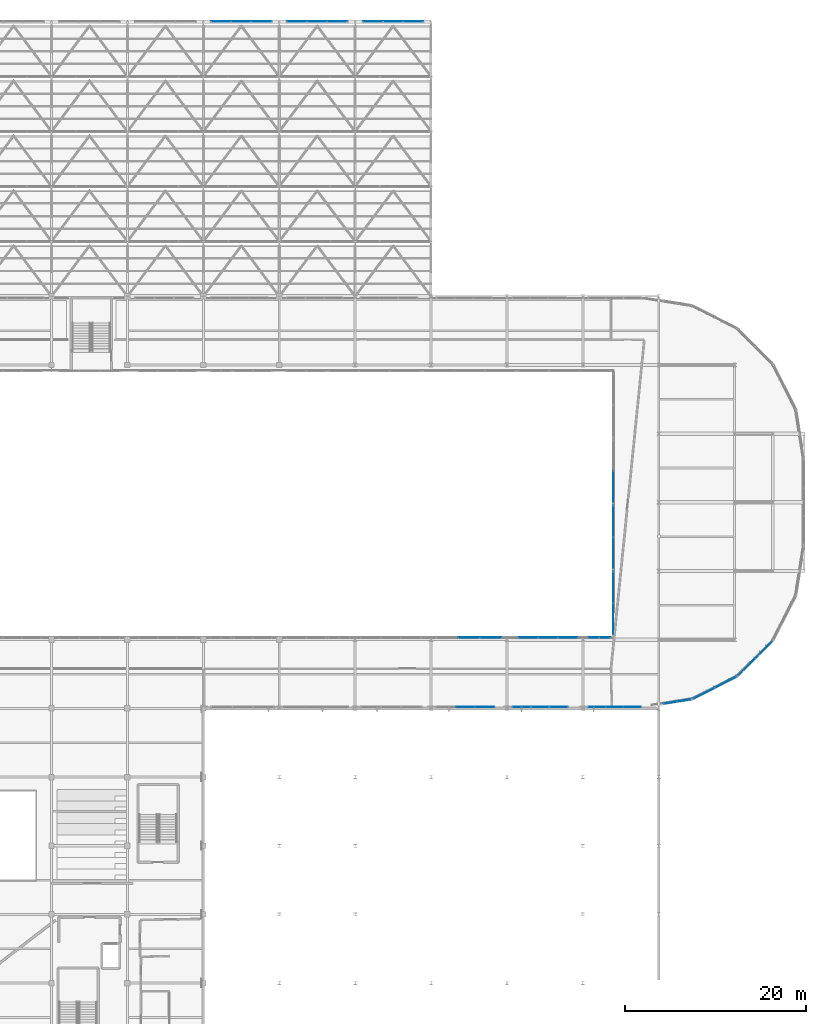
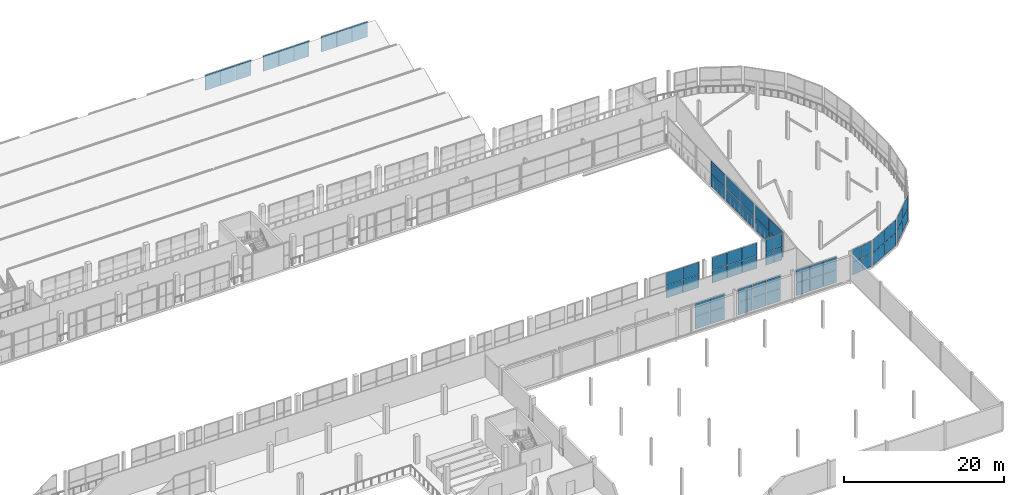
# One storey, part 173 of 217: 61 plates, 15 elements without a shape of their own.
"""IFC4 building model written with IfcOpenShell, lengths in metres."""

import ifcopenshell
import ifcopenshell.guid

model = None  # the IFC model being written
_history = None  # IfcOwnerHistory: only IFC2X3 demands one
_inside = {}  # id of a spatial element -> (the spatial element, [elements in it])
_under = {}  # id of a project, library or spatial element -> (it, [spatial elements below it])
_declared = {}  # id of a project -> (the project, [libraries it declares])
_typed = {}  # id of a type object -> (the type object, [elements of that type])
_made_of = {}  # id of a material, layer set ... -> (it, [elements and type objects made of it])


def new_model(schema):
    """Start an empty IFC model of exactly this schema.

    Asked for "IFC4X3", IfcOpenShell would pick the latest addendum, in which some entities
    have other attributes; the version numbers below select the first issue.
    IFC2X3 requires an IfcOwnerHistory on every rooted entity: one is made here for all.
    """
    global model, _history
    if schema == "IFC4X3":
        model = ifcopenshell.file(schema_version=(4, 3, 0, 0))
    else:
        model = ifcopenshell.file(schema=schema)
    _inside.clear()
    _under.clear()
    _declared.clear()
    _typed.clear()
    _made_of.clear()
    _history = None
    if model.schema == "IFC2X3":
        org = make("IfcOrganization", Name="unknown")
        user = make(
            "IfcPersonAndOrganization",
            ThePerson=make("IfcPerson", FamilyName="unknown"),
            TheOrganization=org,
        )
        app = make(
            "IfcApplication",
            ApplicationDeveloper=org,
            Version="unknown",
            ApplicationFullName="unknown",
            ApplicationIdentifier="unknown",
        )
        _history = make(
            "IfcOwnerHistory",
            OwningUser=user,
            OwningApplication=app,
            ChangeAction="ADDED",
            CreationDate=0,
        )
    return model


def make(cls, **values):
    """One entity of the class cls with the attributes given. An attribute that is None is left unset."""
    return model.create_entity(
        cls, **{name: value for name, value in values.items() if value is not None}
    )


def rooted(cls, **values):
    """An entity with a GlobalId (a new one), such as an element, a storey or a relation."""
    return make(cls, GlobalId=ifcopenshell.guid.new(), OwnerHistory=_history, **values)


def si_unit(unit_type, name, prefix=None):
    """IfcSIUnit, for example si_unit("LENGTHUNIT", "METRE", prefix="MILLI")."""
    return make("IfcSIUnit", UnitType=unit_type, Prefix=prefix, Name=name)


def assignment(units):
    """IfcUnitAssignment: the units of a project."""
    return None if units is None else make("IfcUnitAssignment", Units=units)


def point(xyz):
    """IfcCartesianPoint."""
    return None if xyz is None else make("IfcCartesianPoint", Coordinates=xyz)


def direction(xyz):
    """IfcDirection."""
    return None if xyz is None else make("IfcDirection", DirectionRatios=xyz)


def frame(location, z_axis=None, x_axis=None):
    """IfcAxis2Placement3D, a coordinate frame: its origin and axes. An axis left out is left unset."""
    return make(
        "IfcAxis2Placement3D",
        Location=point(location),
        Axis=direction(z_axis),
        RefDirection=direction(x_axis),
    )


def frame_2d(location, x_axis=None):
    """IfcAxis2Placement2D, a coordinate frame in the plane: its origin and x axis."""
    return make(
        "IfcAxis2Placement2D", Location=point(location), RefDirection=direction(x_axis)
    )


def origin():
    """The frame at (0, 0, 0) with its axes left unset."""
    return frame((0.0, 0.0, 0.0))


def origin_2d():
    """The frame at (0, 0) in the plane with its x axis left unset."""
    return frame_2d((0.0, 0.0))


def place(relative_to, where):
    """IfcLocalPlacement: puts the frame where relative to a parent placement (None: the world)."""
    return make(
        "IfcLocalPlacement", PlacementRelTo=relative_to, RelativePlacement=where
    )


def context(
    kind, dimensions, precision=None, world=None, true_north=None, identifier=None
):
    """IfcGeometricRepresentationContext, for example the 3D "Model" context."""
    return make(
        "IfcGeometricRepresentationContext",
        ContextIdentifier=identifier,
        ContextType=kind,
        CoordinateSpaceDimension=dimensions,
        Precision=precision,
        WorldCoordinateSystem=world,
        TrueNorth=true_north,
    )


def subcontext(parent, identifier, kind, view, scale=None):
    """IfcGeometricRepresentationSubContext, for example "Body" below "Model"."""
    return make(
        "IfcGeometricRepresentationSubContext",
        ContextIdentifier=identifier,
        ContextType=kind,
        ParentContext=parent,
        TargetScale=scale,
        TargetView=view,
    )


def project(units=None, contexts=None):
    """IfcProject with its units and contexts."""
    return rooted(
        "IfcProject",
        Name="project",
        RepresentationContexts=contexts,
        UnitsInContext=assignment(units),
    )


def spatial(cls, under=None, at=None, **own):
    """A site, building, storey or space (cls), placed at a placement, below another one or the project."""
    s = rooted(cls, ObjectPlacement=at, **own)
    if under is not None:
        _under.setdefault(under.id(), (under, []))[1].append(s)
    return s


def profile(cls, at=None, kind="AREA", **sizes):
    """A parametric profile (cls). Its sizes go by their IFC names, for example OverallWidth=200.0."""
    return make(cls, ProfileType=kind, Position=at, **sizes)


def rectangle(**sizes):
    """IfcRectangleProfileDef."""
    return profile("IfcRectangleProfileDef", **sizes)


def extrude(swept, where, along, depth):
    """IfcExtrudedAreaSolid: the profile swept, set in the frame where, extruded along a direction by depth."""
    return make(
        "IfcExtrudedAreaSolid",
        SweptArea=swept,
        Position=where,
        ExtrudedDirection=direction(along),
        Depth=depth,
    )


def shape(context_of_items, identifier, shape_type, items):
    """IfcShapeRepresentation: the items that make up one representation, for example the "Body"."""
    return make(
        "IfcShapeRepresentation",
        ContextOfItems=context_of_items,
        RepresentationIdentifier=identifier,
        RepresentationType=shape_type,
        Items=items,
    )


def material(Name=None, Category=None):
    """IfcMaterial."""
    return make("IfcMaterial", Name=Name, Category=Category)


def layer(
    of_material, thickness, ventilated=None, Name=None, Category=None, Priority=None
):
    """IfcMaterialLayer: one layer of a wall or slab, of a material (None: an air gap)."""
    return make(
        "IfcMaterialLayer",
        Material=of_material,
        LayerThickness=thickness,
        IsVentilated=ventilated,
        Name=Name,
        Category=Category,
        Priority=Priority,
    )


def layer_set(layers, Name=None):
    """IfcMaterialLayerSet."""
    return make("IfcMaterialLayerSet", MaterialLayers=layers, LayerSetName=Name)


def made_of(thing, what):
    """Note that an element or type object is made of a material, layer set ...; save() writes the relation."""
    if what is not None:
        _made_of.setdefault(what.id(), (what, []))[1].append(thing)
    return thing


def type_object(cls, material=None, **own):
    """A type object (cls), such as IfcWallType, which elements share."""
    return made_of(rooted(cls, **own), material)


def element(
    cls,
    number,
    at=None,
    inside=None,
    cuts=None,
    type_object=None,
    material=None,
    context=None,
    identifier="Body",
    shape_type=None,
    held_by="IfcProductDefinitionShape",
    body=None,
    shapes=None,
    **own,
):
    """One element of the class cls, such as IfcWall. Its Tag is "e" and its number.

    at: its placement. inside: the storey or other place that contains it. cuts: it is an
    opening in that element (IfcRelVoidsElement). A single representation is given by context,
    identifier, shape_type and body (its items); several are given by shapes. held_by: the class
    of the entity that holds the representations. save() writes the other relations.
    """
    e = rooted(cls, Tag="e%d" % number, ObjectPlacement=at, **own)
    if body is not None:
        shapes = [shape(context, identifier, shape_type, body)]
    if shapes is not None:
        e.Representation = make(held_by, Representations=shapes)
    if inside is not None:
        _inside.setdefault(inside.id(), (inside, []))[1].append(e)
    if cuts is not None:
        rooted(
            "IfcRelVoidsElement", RelatingBuildingElement=cuts, RelatedOpeningElement=e
        )
    if type_object is not None:
        _typed.setdefault(type_object.id(), (type_object, []))[1].append(e)
    return made_of(e, material)


def aggregate(whole, parts):
    """IfcRelAggregates: a whole, such as a stair, and the parts it consists of."""
    return rooted("IfcRelAggregates", RelatingObject=whole, RelatedObjects=parts)


def save(model, path):
    """Write the relations noted so far, then the file.

    IfcRelAggregates (storeys below a building ...), IfcRelContainedInSpatialStructure (elements
    in a storey), IfcRelDefinesByType, IfcRelAssociatesMaterial and IfcRelDeclares: one each for
    every whole, place, type object, material and project.
    """
    for whole, parts in _under.values():
        aggregate(whole, parts)
    for where, things in _inside.values():
        rooted(
            "IfcRelContainedInSpatialStructure",
            RelatedElements=things,
            RelatingStructure=where,
        )
    for kind, things in _typed.values():
        rooted("IfcRelDefinesByType", RelatedObjects=things, RelatingType=kind)
    for what, things in _made_of.values():
        rooted("IfcRelAssociatesMaterial", RelatedObjects=things, RelatingMaterial=what)
    for by, libraries in _declared.values():
        rooted("IfcRelDeclares", RelatingContext=by, RelatedDefinitions=libraries)
    model.write(path)


model = new_model("IFC4")

# Units and contexts
model_context = context("Model", 3, precision=1e-05, world=origin(), true_north=direction((0.0, 1.0)))
body_context = subcontext(model_context, "Body", "Model", "MODEL_VIEW")
ifc_project = project(units=[si_unit("LENGTHUNIT", "METRE"), si_unit("AREAUNIT", "SQUARE_METRE"), si_unit("VOLUMEUNIT", "CUBIC_METRE"), si_unit("PLANEANGLEUNIT", "RADIAN"), si_unit("MASSUNIT", "GRAM", prefix="KILO")], contexts=[model_context])

# Site, building, storey
site_placement = place(None, origin())
site = spatial("IfcSite", under=ifc_project, at=site_placement, CompositionType="ELEMENT")
building_placement = place(site_placement, origin())
building = spatial("IfcBuilding", under=site, at=building_placement, Name="Zuvorla Pavilion Media Centre", CompositionType="ELEMENT")
storey_placement = place(building_placement, frame((0.0, 0.0, 9.60009765625)))
storey = spatial("IfcBuildingStorey", under=building, at=storey_placement, Name="L02", CompositionType="ELEMENT", Elevation=9.60009765625)

# Curtain wall, plates
ifc_material_1 = material(Name="Unitised anodised aluminium and solar glass curtain wall", Category="aluminium")
curtain_wall_type_1 = type_object("IfcCurtainWallType", Name="CW-SYS-01", PredefinedType="USERDEFINED", material=ifc_material_1)
curtain_wall_1_placement = place(storey_placement, origin())
curtain_wall_1 = element("IfcCurtainWall", 1, at=curtain_wall_1_placement, inside=storey, type_object=curtain_wall_type_1, Name="L02 curtain wall CW01 1", ObjectType="CURTAIN WALL", PredefinedType="USERDEFINED")
ifc_material_2 = material(Name="Solar control double glazing", Category="glass")
ifc_layer_1 = layer(ifc_material_2, 0.028076171875)
ifc_layer_set_1 = layer_set([ifc_layer_1], Name="Solar control double glazing")
plate_type_1 = type_object("IfcPlateType", Name="CW-PNL-28", PredefinedType="CURTAIN_PANEL", material=ifc_layer_set_1)
plate_1_placement = place(storey_placement, frame((160.49072265625, 44.63134765625, 0.02978515625), z_axis=(0.0, 0.0, 1.0), x_axis=(0.987690520963, 0.156420698118, 0.0)))
plate_1 = element("IfcPlate", 2, at=plate_1_placement, type_object=plate_type_1, Name="CW01 panel 1.1", PredefinedType="CURTAIN_PANEL", context=body_context, shape_type="SweptSolid", body=[
    extrude(rectangle(XDim=1.48681640625, YDim=0.028076171875, at=origin_2d()), origin(), (0.0, 0.0, 1.0), 1.9150390625),
])
plate_2_placement = place(storey_placement, frame((160.49072265625, 44.63134765625, 2.0048828125), z_axis=(0.0, 0.0, 1.0), x_axis=(0.987690520963, 0.156420698118, 0.0)))
plate_2 = element("IfcPlate", 3, at=plate_2_placement, type_object=plate_type_1, Name="CW01 panel 1.2", PredefinedType="CURTAIN_PANEL", context=body_context, shape_type="SweptSolid", body=[
    extrude(rectangle(XDim=1.48681640625, YDim=0.028076171875, at=origin_2d()), origin(), (0.0, 0.0, 1.0), 1.9150390625),
])
plate_3_placement = place(storey_placement, frame((162.0185546875, 44.873291015625, 0.02978515625), z_axis=(0.0, 0.0, 1.0), x_axis=(0.987690520963, 0.156420698118, 0.0)))
plate_3 = element("IfcPlate", 4, at=plate_3_placement, type_object=plate_type_1, Name="CW01 panel 2.1", PredefinedType="CURTAIN_PANEL", context=body_context, shape_type="SweptSolid", body=[
    extrude(rectangle(XDim=1.48681640625, YDim=0.028076171875, at=origin_2d()), origin(), (0.0, 0.0, 1.0), 1.9150390625),
])
plate_4_placement = place(storey_placement, frame((162.0185546875, 44.873291015625, 2.0048828125), z_axis=(0.0, 0.0, 1.0), x_axis=(0.987690520963, 0.156420698118, 0.0)))
plate_4 = element("IfcPlate", 5, at=plate_4_placement, type_object=plate_type_1, Name="CW01 panel 2.2", PredefinedType="CURTAIN_PANEL", context=body_context, shape_type="SweptSolid", body=[
    extrude(rectangle(XDim=1.48681640625, YDim=0.028076171875, at=origin_2d()), origin(), (0.0, 0.0, 1.0), 1.9150390625),
])
aggregate(curtain_wall_1, [plate_1, plate_2, plate_3, plate_4])

curtain_wall_type_2 = type_object("IfcCurtainWallType", Name="CW-SYS-13", PredefinedType="USERDEFINED", material=ifc_material_1)
curtain_wall_2_placement = place(storey_placement, origin())
curtain_wall_2 = element("IfcCurtainWall", 6, at=curtain_wall_2_placement, inside=storey, type_object=curtain_wall_type_2, Name="L02 curtain wall CW13 46", ObjectType="CURTAIN WALL", PredefinedType="USERDEFINED")
plate_5_placement = place(storey_placement, frame((137.820068359375, 44.159912109375, 0.02978515625), z_axis=(0.0, 0.0, 1.0), x_axis=(1.0, 0.0, 0.0)))
plate_5 = element("IfcPlate", 7, at=plate_5_placement, type_object=plate_type_1, Name="CW13 panel 2.1", PredefinedType="CURTAIN_PANEL", context=body_context, shape_type="SweptSolid", body=[
    extrude(rectangle(XDim=2.086669921875, YDim=0.028076171875, at=origin_2d()), origin(), (0.0, 0.0, 1.0), 1.9150390625),
])
plate_6_placement = place(storey_placement, frame((137.820068359375, 44.159912109375, 2.0048828125), z_axis=(0.0, 0.0, 1.0), x_axis=(1.0, 0.0, 0.0)))
plate_6 = element("IfcPlate", 8, at=plate_6_placement, type_object=plate_type_1, Name="CW13 panel 2.2", PredefinedType="CURTAIN_PANEL", context=body_context, shape_type="SweptSolid", body=[
    extrude(rectangle(XDim=2.086669921875, YDim=0.028076171875, at=origin_2d()), origin(), (0.0, 0.0, 1.0), 1.9150390625),
])
plate_7_placement = place(storey_placement, frame((139.966796875, 44.159912109375, 0.02978515625), z_axis=(0.0, 0.0, 1.0), x_axis=(1.0, 0.0, 0.0)))
plate_7 = element("IfcPlate", 9, at=plate_7_placement, type_object=plate_type_1, Name="CW13 panel 3.1", PredefinedType="CURTAIN_PANEL", context=body_context, shape_type="SweptSolid", body=[
    extrude(rectangle(XDim=2.086669921875, YDim=0.028076171875, at=origin_2d()), origin(), (0.0, 0.0, 1.0), 1.9150390625),
])
plate_8_placement = place(storey_placement, frame((139.966796875, 44.159912109375, 2.0048828125), z_axis=(0.0, 0.0, 1.0), x_axis=(1.0, 0.0, 0.0)))
plate_8 = element("IfcPlate", 10, at=plate_8_placement, type_object=plate_type_1, Name="CW13 panel 3.2", PredefinedType="CURTAIN_PANEL", context=body_context, shape_type="SweptSolid", body=[
    extrude(rectangle(XDim=2.086669921875, YDim=0.028076171875, at=origin_2d()), origin(), (0.0, 0.0, 1.0), 1.9150390625),
])
aggregate(curtain_wall_2, [plate_5, plate_6, plate_7, plate_8])

curtain_wall_type_3 = type_object("IfcCurtainWallType", Name="CW-SYS-24", PredefinedType="USERDEFINED", material=ifc_material_1)
curtain_wall_3_placement = place(storey_placement, origin())
curtain_wall_3 = element("IfcCurtainWall", 11, at=curtain_wall_3_placement, inside=storey, type_object=curtain_wall_type_3, Name="L02 curtain wall CW24 88", ObjectType="CURTAIN WALL", PredefinedType="USERDEFINED")
plate_9_placement = place(storey_placement, frame((154.159912109375, 53.905029296875, 0.02978515625), z_axis=(0.0, 0.0, 1.0), x_axis=(0.0, 1.0, 0.0)))
plate_9 = element("IfcPlate", 12, at=plate_9_placement, type_object=plate_type_1, Name="CW24 panel 1.1", PredefinedType="CURTAIN_PANEL", context=body_context, shape_type="SweptSolid", body=[
    extrude(rectangle(XDim=3.429931640625, YDim=0.028076171875, at=origin_2d()), origin(), (0.0, 0.0, 1.0), 1.9150390625),
])
plate_10_placement = place(storey_placement, frame((154.159912109375, 53.905029296875, 2.0048828125), z_axis=(0.0, 0.0, 1.0), x_axis=(0.0, 1.0, 0.0)))
plate_10 = element("IfcPlate", 13, at=plate_10_placement, type_object=plate_type_1, Name="CW24 panel 1.2", PredefinedType="CURTAIN_PANEL", context=body_context, shape_type="SweptSolid", body=[
    extrude(rectangle(XDim=3.429931640625, YDim=0.028076171875, at=origin_2d()), origin(), (0.0, 0.0, 1.0), 1.9150390625),
])
plate_11_placement = place(storey_placement, frame((154.159912109375, 57.39501953125, 0.02978515625), z_axis=(0.0, 0.0, 1.0), x_axis=(0.0, 1.0, 0.0)))
plate_11 = element("IfcPlate", 14, at=plate_11_placement, type_object=plate_type_1, Name="CW24 panel 2.1", PredefinedType="CURTAIN_PANEL", context=body_context, shape_type="SweptSolid", body=[
    extrude(rectangle(XDim=3.429931640625, YDim=0.028076171875, at=origin_2d()), origin(), (0.0, 0.0, 1.0), 1.9150390625),
])
plate_12_placement = place(storey_placement, frame((154.159912109375, 57.39501953125, 2.0048828125), z_axis=(0.0, 0.0, 1.0), x_axis=(0.0, 1.0, 0.0)))
plate_12 = element("IfcPlate", 15, at=plate_12_placement, type_object=plate_type_1, Name="CW24 panel 2.2", PredefinedType="CURTAIN_PANEL", context=body_context, shape_type="SweptSolid", body=[
    extrude(rectangle(XDim=3.429931640625, YDim=0.028076171875, at=origin_2d()), origin(), (0.0, 0.0, 1.0), 1.9150390625),
])
aggregate(curtain_wall_3, [plate_9, plate_10, plate_11, plate_12])

curtain_wall_type_4 = type_object("IfcCurtainWallType", Name="CW-SYS-02", PredefinedType="USERDEFINED", material=ifc_material_1)
curtain_wall_4_placement = place(storey_placement, origin())
curtain_wall_4 = element("IfcCurtainWall", 16, at=curtain_wall_4_placement, inside=storey, type_object=curtain_wall_type_4, Name="L02 curtain wall CW02 2", ObjectType="CURTAIN WALL", PredefinedType="USERDEFINED")
ifc_material_3 = material(Name="Acoustic laminated solar glazing", Category="glass")
ifc_layer_2 = layer(ifc_material_3, 0.033935546875)
ifc_layer_set_2 = layer_set([ifc_layer_2], Name="Acoustic laminated solar glazing")
plate_type_2 = type_object("IfcPlateType", Name="CW-PNL-34", PredefinedType="CURTAIN_PANEL", material=ifc_layer_set_2)
plate_13_placement = place(storey_placement, frame((164.224365234375, 45.68115234375, 0.02978515625), z_axis=(0.0, 0.0, 1.0), x_axis=(0.891008892216, 0.453985852193, 0.0)))
plate_13 = element("IfcPlate", 17, at=plate_13_placement, type_object=plate_type_2, Name="CW02 panel 1.1", PredefinedType="CURTAIN_PANEL", context=body_context, shape_type="SweptSolid", body=[
    extrude(rectangle(XDim=2.595703125, YDim=0.033935546875, at=origin_2d()), origin(), (0.0, 0.0, 1.0), 1.9150390625),
])
plate_14_placement = place(storey_placement, frame((164.224365234375, 45.68115234375, 2.0048828125), z_axis=(0.0, 0.0, 1.0), x_axis=(0.891008892216, 0.453985852193, 0.0)))
plate_14 = element("IfcPlate", 18, at=plate_14_placement, type_object=plate_type_2, Name="CW02 panel 1.2", PredefinedType="CURTAIN_PANEL", context=body_context, shape_type="SweptSolid", body=[
    extrude(rectangle(XDim=2.595703125, YDim=0.033935546875, at=origin_2d()), origin(), (0.0, 0.0, 1.0), 1.9150390625),
])
plate_15_placement = place(storey_placement, frame((166.5908203125, 46.886962890625, 0.02978515625), z_axis=(0.0, 0.0, 1.0), x_axis=(0.891008892216, 0.453985852193, 0.0)))
plate_15 = element("IfcPlate", 19, at=plate_15_placement, type_object=plate_type_2, Name="CW02 panel 2.1", PredefinedType="CURTAIN_PANEL", context=body_context, shape_type="SweptSolid", body=[
    extrude(rectangle(XDim=2.595703125, YDim=0.033935546875, at=origin_2d()), origin(), (0.0, 0.0, 1.0), 1.9150390625),
])
plate_16_placement = place(storey_placement, frame((166.5908203125, 46.886962890625, 2.0048828125), z_axis=(0.0, 0.0, 1.0), x_axis=(0.891008892216, 0.453985852193, 0.0)))
plate_16 = element("IfcPlate", 20, at=plate_16_placement, type_object=plate_type_2, Name="CW02 panel 2.2", PredefinedType="CURTAIN_PANEL", context=body_context, shape_type="SweptSolid", body=[
    extrude(rectangle(XDim=2.595703125, YDim=0.033935546875, at=origin_2d()), origin(), (0.0, 0.0, 1.0), 1.9150390625),
])
aggregate(curtain_wall_4, [plate_13, plate_14, plate_15, plate_16])

curtain_wall_type_5 = type_object("IfcCurtainWallType", Name="CW-SYS-11", PredefinedType="USERDEFINED", material=ifc_material_1)
curtain_wall_5_placement = place(storey_placement, origin())
curtain_wall_5 = element("IfcCurtainWall", 21, at=curtain_wall_5_placement, inside=storey, type_object=curtain_wall_type_5, Name="L02 curtain wall CW11 47", ObjectType="CURTAIN WALL", PredefinedType="USERDEFINED")
plate_17_placement = place(storey_placement, frame((144.0234375, 44.159912109375, 0.02978515625), z_axis=(0.0, 0.0, 1.0), x_axis=(1.0, 0.0, 0.0)))
plate_17 = element("IfcPlate", 22, at=plate_17_placement, type_object=plate_type_2, Name="CW11 panel 1.1", PredefinedType="CURTAIN_PANEL", context=body_context, shape_type="SweptSolid", body=[
    extrude(rectangle(XDim=1.986572265625, YDim=0.033935546875, at=origin_2d()), origin(), (0.0, 0.0, 1.0), 1.9150390625),
])
plate_18_placement = place(storey_placement, frame((144.0234375, 44.159912109375, 2.0048828125), z_axis=(0.0, 0.0, 1.0), x_axis=(1.0, 0.0, 0.0)))
plate_18 = element("IfcPlate", 23, at=plate_18_placement, type_object=plate_type_2, Name="CW11 panel 1.2", PredefinedType="CURTAIN_PANEL", context=body_context, shape_type="SweptSolid", body=[
    extrude(rectangle(XDim=1.986572265625, YDim=0.033935546875, at=origin_2d()), origin(), (0.0, 0.0, 1.0), 1.9150390625),
])
plate_19_placement = place(storey_placement, frame((146.070068359375, 44.159912109375, 0.02978515625), z_axis=(0.0, 0.0, 1.0), x_axis=(1.0, 0.0, 0.0)))
plate_19 = element("IfcPlate", 24, at=plate_19_placement, type_object=plate_type_2, Name="CW11 panel 2.1", PredefinedType="CURTAIN_PANEL", context=body_context, shape_type="SweptSolid", body=[
    extrude(rectangle(XDim=1.986572265625, YDim=0.033935546875, at=origin_2d()), origin(), (0.0, 0.0, 1.0), 1.9150390625),
])
plate_20_placement = place(storey_placement, frame((146.070068359375, 44.159912109375, 2.0048828125), z_axis=(0.0, 0.0, 1.0), x_axis=(1.0, 0.0, 0.0)))
plate_20 = element("IfcPlate", 25, at=plate_20_placement, type_object=plate_type_2, Name="CW11 panel 2.2", PredefinedType="CURTAIN_PANEL", context=body_context, shape_type="SweptSolid", body=[
    extrude(rectangle(XDim=1.986572265625, YDim=0.033935546875, at=origin_2d()), origin(), (0.0, 0.0, 1.0), 1.9150390625),
])
plate_21_placement = place(storey_placement, frame((148.11669921875, 44.159912109375, 0.02978515625), z_axis=(0.0, 0.0, 1.0), x_axis=(1.0, 0.0, 0.0)))
plate_21 = element("IfcPlate", 26, at=plate_21_placement, type_object=plate_type_2, Name="CW11 panel 3.1", PredefinedType="CURTAIN_PANEL", context=body_context, shape_type="SweptSolid", body=[
    extrude(rectangle(XDim=1.986572265625, YDim=0.033935546875, at=origin_2d()), origin(), (0.0, 0.0, 1.0), 1.9150390625),
])
plate_22_placement = place(storey_placement, frame((148.11669921875, 44.159912109375, 2.0048828125), z_axis=(0.0, 0.0, 1.0), x_axis=(1.0, 0.0, 0.0)))
plate_22 = element("IfcPlate", 27, at=plate_22_placement, type_object=plate_type_2, Name="CW11 panel 3.2", PredefinedType="CURTAIN_PANEL", context=body_context, shape_type="SweptSolid", body=[
    extrude(rectangle(XDim=1.986572265625, YDim=0.033935546875, at=origin_2d()), origin(), (0.0, 0.0, 1.0), 1.9150390625),
])
aggregate(curtain_wall_5, [plate_17, plate_18, plate_19, plate_20, plate_21, plate_22])

curtain_wall_type_6 = type_object("IfcCurtainWallType", Name="CW-SYS-55", PredefinedType="USERDEFINED", material=ifc_material_1)
curtain_wall_6_placement = place(storey_placement, origin())
curtain_wall_6 = element("IfcCurtainWall", 28, at=curtain_wall_6_placement, inside=storey, type_object=curtain_wall_type_6, Name="L02 curtain wall CW55 82", ObjectType="CURTAIN WALL", PredefinedType="USERDEFINED")
plate_23_placement = place(storey_placement, frame((138.199951171875, 51.840087890625, 0.02978515625), z_axis=(0.0, 0.0, 1.0), x_axis=(1.0, 0.0, 0.0)))
plate_23 = element("IfcPlate", 29, at=plate_23_placement, type_object=plate_type_2, Name="CW55 panel 2.1", PredefinedType="CURTAIN_PANEL", context=body_context, shape_type="SweptSolid", body=[
    extrude(rectangle(XDim=2.33984375, YDim=0.033935546875, at=origin_2d()), origin(), (0.0, 0.0, 1.0), 1.9150390625),
])
plate_24_placement = place(storey_placement, frame((138.199951171875, 51.840087890625, 2.0048828125), z_axis=(0.0, 0.0, 1.0), x_axis=(1.0, 0.0, 0.0)))
plate_24 = element("IfcPlate", 30, at=plate_24_placement, type_object=plate_type_2, Name="CW55 panel 2.2", PredefinedType="CURTAIN_PANEL", context=body_context, shape_type="SweptSolid", body=[
    extrude(rectangle(XDim=2.33984375, YDim=0.033935546875, at=origin_2d()), origin(), (0.0, 0.0, 1.0), 1.9150390625),
])
plate_25_placement = place(storey_placement, frame((140.599853515625, 51.840087890625, 0.02978515625), z_axis=(0.0, 0.0, 1.0), x_axis=(1.0, 0.0, 0.0)))
plate_25 = element("IfcPlate", 31, at=plate_25_placement, type_object=plate_type_2, Name="CW55 panel 3.1", PredefinedType="CURTAIN_PANEL", context=body_context, shape_type="SweptSolid", body=[
    extrude(rectangle(XDim=2.33984375, YDim=0.033935546875, at=origin_2d()), origin(), (0.0, 0.0, 1.0), 1.9150390625),
])
plate_26_placement = place(storey_placement, frame((140.599853515625, 51.840087890625, 2.0048828125), z_axis=(0.0, 0.0, 1.0), x_axis=(1.0, 0.0, 0.0)))
plate_26 = element("IfcPlate", 32, at=plate_26_placement, type_object=plate_type_2, Name="CW55 panel 3.2", PredefinedType="CURTAIN_PANEL", context=body_context, shape_type="SweptSolid", body=[
    extrude(rectangle(XDim=2.33984375, YDim=0.033935546875, at=origin_2d()), origin(), (0.0, 0.0, 1.0), 1.9150390625),
])
aggregate(curtain_wall_6, [plate_23, plate_24, plate_25, plate_26])

curtain_wall_type_7 = type_object("IfcCurtainWallType", Name="CW-SYS-58", PredefinedType="USERDEFINED", material=ifc_material_1)
curtain_wall_7_placement = place(storey_placement, origin())
curtain_wall_7 = element("IfcCurtainWall", 33, at=curtain_wall_7_placement, inside=storey, type_object=curtain_wall_type_7, Name="L02 curtain wall CW58 90", ObjectType="CURTAIN WALL", PredefinedType="USERDEFINED")
plate_27_placement = place(storey_placement, frame((154.159912109375, 61.205078125, 0.02978515625), z_axis=(0.0, 0.0, 1.0), x_axis=(0.0, 1.0, 0.0)))
plate_27 = element("IfcPlate", 34, at=plate_27_placement, type_object=plate_type_2, Name="CW58 panel 1.1", PredefinedType="CURTAIN_PANEL", context=body_context, shape_type="SweptSolid", body=[
    extrude(rectangle(XDim=3.429931640625, YDim=0.033935546875, at=origin_2d()), origin(), (0.0, 0.0, 1.0), 1.9150390625),
])
plate_28_placement = place(storey_placement, frame((154.159912109375, 61.205078125, 2.0048828125), z_axis=(0.0, 0.0, 1.0), x_axis=(0.0, 1.0, 0.0)))
plate_28 = element("IfcPlate", 35, at=plate_28_placement, type_object=plate_type_2, Name="CW58 panel 1.2", PredefinedType="CURTAIN_PANEL", context=body_context, shape_type="SweptSolid", body=[
    extrude(rectangle(XDim=3.429931640625, YDim=0.033935546875, at=origin_2d()), origin(), (0.0, 0.0, 1.0), 1.9150390625),
])
plate_29_placement = place(storey_placement, frame((154.159912109375, 64.695068359375, 0.02978515625), z_axis=(0.0, 0.0, 1.0), x_axis=(0.0, 1.0, 0.0)))
plate_29 = element("IfcPlate", 36, at=plate_29_placement, type_object=plate_type_2, Name="CW58 panel 2.1", PredefinedType="CURTAIN_PANEL", context=body_context, shape_type="SweptSolid", body=[
    extrude(rectangle(XDim=3.429931640625, YDim=0.033935546875, at=origin_2d()), origin(), (0.0, 0.0, 1.0), 1.9150390625),
])
plate_30_placement = place(storey_placement, frame((154.159912109375, 64.695068359375, 2.0048828125), z_axis=(0.0, 0.0, 1.0), x_axis=(0.0, 1.0, 0.0)))
plate_30 = element("IfcPlate", 37, at=plate_30_placement, type_object=plate_type_2, Name="CW58 panel 2.2", PredefinedType="CURTAIN_PANEL", context=body_context, shape_type="SweptSolid", body=[
    extrude(rectangle(XDim=3.429931640625, YDim=0.033935546875, at=origin_2d()), origin(), (0.0, 0.0, 1.0), 1.9150390625),
])
aggregate(curtain_wall_7, [plate_27, plate_28, plate_29, plate_30])

curtain_wall_type_8 = type_object("IfcCurtainWallType", Name="CW-SYS-03", PredefinedType="USERDEFINED", material=ifc_material_1)
curtain_wall_8_placement = place(storey_placement, origin())
curtain_wall_8 = element("IfcCurtainWall", 38, at=curtain_wall_8_placement, inside=storey, type_object=curtain_wall_type_8, Name="L02 curtain wall CW03 3", ObjectType="CURTAIN WALL", PredefinedType="USERDEFINED")
ifc_material_4 = material(Name="Triple acoustic broadcast glazing", Category="glass")
ifc_layer_3 = layer(ifc_material_4, 0.0419921875)
ifc_layer_set_3 = layer_set([ifc_layer_3], Name="Triple acoustic broadcast glazing")
plate_type_3 = type_object("IfcPlateType", Name="CW-PNL-42", PredefinedType="CURTAIN_PANEL", material=ifc_layer_set_3)
plate_31_placement = place(storey_placement, frame((168.93310546875, 48.5888671875, 0.02978515625), z_axis=(0.0, 0.0, 1.0), x_axis=(0.707106781187, 0.707106781187, 0.0)))
plate_31 = element("IfcPlate", 39, at=plate_31_placement, type_object=plate_type_3, Name="CW03 panel 1.1", PredefinedType="CURTAIN_PANEL", context=body_context, shape_type="SweptSolid", body=[
    extrude(rectangle(XDim=2.595947265625, YDim=0.0419921875, at=origin_2d()), origin(), (0.0, 0.0, 1.0), 1.9150390625),
])
plate_32_placement = place(storey_placement, frame((168.93310546875, 48.5888671875, 2.0048828125), z_axis=(0.0, 0.0, 1.0), x_axis=(0.707106781187, 0.707106781187, 0.0)))
plate_32 = element("IfcPlate", 40, at=plate_32_placement, type_object=plate_type_3, Name="CW03 panel 1.2", PredefinedType="CURTAIN_PANEL", context=body_context, shape_type="SweptSolid", body=[
    extrude(rectangle(XDim=2.595947265625, YDim=0.0419921875, at=origin_2d()), origin(), (0.0, 0.0, 1.0), 1.9150390625),
])
plate_33_placement = place(storey_placement, frame((170.811279296875, 50.466796875, 0.02978515625), z_axis=(0.0, 0.0, 1.0), x_axis=(0.707106781187, 0.707106781187, 0.0)))
plate_33 = element("IfcPlate", 41, at=plate_33_placement, type_object=plate_type_3, Name="CW03 panel 2.1", PredefinedType="CURTAIN_PANEL", context=body_context, shape_type="SweptSolid", body=[
    extrude(rectangle(XDim=2.595947265625, YDim=0.0419921875, at=origin_2d()), origin(), (0.0, 0.0, 1.0), 1.9150390625),
])
plate_34_placement = place(storey_placement, frame((170.811279296875, 50.466796875, 2.0048828125), z_axis=(0.0, 0.0, 1.0), x_axis=(0.707106781187, 0.707106781187, 0.0)))
plate_34 = element("IfcPlate", 42, at=plate_34_placement, type_object=plate_type_3, Name="CW03 panel 2.2", PredefinedType="CURTAIN_PANEL", context=body_context, shape_type="SweptSolid", body=[
    extrude(rectangle(XDim=2.595947265625, YDim=0.0419921875, at=origin_2d()), origin(), (0.0, 0.0, 1.0), 1.9150390625),
])
aggregate(curtain_wall_8, [plate_31, plate_32, plate_33, plate_34])

curtain_wall_type_9 = type_object("IfcCurtainWallType", Name="CW-SYS-27", PredefinedType="USERDEFINED", material=ifc_material_1)
curtain_wall_9_placement = place(storey_placement, origin())
curtain_wall_9 = element("IfcCurtainWall", 43, at=curtain_wall_9_placement, inside=storey, type_object=curtain_wall_type_9, Name="L02 curtain wall CW27 48", ObjectType="CURTAIN WALL", PredefinedType="USERDEFINED")
plate_35_placement = place(storey_placement, frame((152.37353515625, 44.159912109375, 0.02978515625), z_axis=(0.0, 0.0, 1.0), x_axis=(1.0, 0.0, 0.0)))
plate_35 = element("IfcPlate", 44, at=plate_35_placement, type_object=plate_type_3, Name="CW27 panel 1.1", PredefinedType="CURTAIN_PANEL", context=body_context, shape_type="SweptSolid", body=[
    extrude(rectangle(XDim=1.88671875, YDim=0.0419921875, at=origin_2d()), origin(), (0.0, 0.0, 1.0), 1.9150390625),
])
plate_36_placement = place(storey_placement, frame((152.37353515625, 44.159912109375, 2.0048828125), z_axis=(0.0, 0.0, 1.0), x_axis=(1.0, 0.0, 0.0)))
plate_36 = element("IfcPlate", 45, at=plate_36_placement, type_object=plate_type_3, Name="CW27 panel 1.2", PredefinedType="CURTAIN_PANEL", context=body_context, shape_type="SweptSolid", body=[
    extrude(rectangle(XDim=1.88671875, YDim=0.0419921875, at=origin_2d()), origin(), (0.0, 0.0, 1.0), 1.9150390625),
])
plate_37_placement = place(storey_placement, frame((154.320068359375, 44.159912109375, 0.02978515625), z_axis=(0.0, 0.0, 1.0), x_axis=(1.0, 0.0, 0.0)))
plate_37 = element("IfcPlate", 46, at=plate_37_placement, type_object=plate_type_3, Name="CW27 panel 2.1", PredefinedType="CURTAIN_PANEL", context=body_context, shape_type="SweptSolid", body=[
    extrude(rectangle(XDim=1.88671875, YDim=0.0419921875, at=origin_2d()), origin(), (0.0, 0.0, 1.0), 1.9150390625),
])
plate_38_placement = place(storey_placement, frame((154.320068359375, 44.159912109375, 2.0048828125), z_axis=(0.0, 0.0, 1.0), x_axis=(1.0, 0.0, 0.0)))
plate_38 = element("IfcPlate", 47, at=plate_38_placement, type_object=plate_type_3, Name="CW27 panel 2.2", PredefinedType="CURTAIN_PANEL", context=body_context, shape_type="SweptSolid", body=[
    extrude(rectangle(XDim=1.88671875, YDim=0.0419921875, at=origin_2d()), origin(), (0.0, 0.0, 1.0), 1.9150390625),
])
plate_39_placement = place(storey_placement, frame((156.2666015625, 44.159912109375, 0.02978515625), z_axis=(0.0, 0.0, 1.0), x_axis=(1.0, 0.0, 0.0)))
plate_39 = element("IfcPlate", 48, at=plate_39_placement, type_object=plate_type_3, Name="CW27 panel 3.1", PredefinedType="CURTAIN_PANEL", context=body_context, shape_type="SweptSolid", body=[
    extrude(rectangle(XDim=1.88671875, YDim=0.0419921875, at=origin_2d()), origin(), (0.0, 0.0, 1.0), 1.9150390625),
])
plate_40_placement = place(storey_placement, frame((156.2666015625, 44.159912109375, 2.0048828125), z_axis=(0.0, 0.0, 1.0), x_axis=(1.0, 0.0, 0.0)))
plate_40 = element("IfcPlate", 49, at=plate_40_placement, type_object=plate_type_3, Name="CW27 panel 3.2", PredefinedType="CURTAIN_PANEL", context=body_context, shape_type="SweptSolid", body=[
    extrude(rectangle(XDim=1.88671875, YDim=0.0419921875, at=origin_2d()), origin(), (0.0, 0.0, 1.0), 1.9150390625),
])
aggregate(curtain_wall_9, [plate_35, plate_36, plate_37, plate_38, plate_39, plate_40])

curtain_wall_type_10 = type_object("IfcCurtainWallType", Name="CW-SYS-21", PredefinedType="USERDEFINED", material=ifc_material_1)
curtain_wall_10_placement = place(storey_placement, origin())
curtain_wall_10 = element("IfcCurtainWall", 50, at=curtain_wall_10_placement, inside=storey, type_object=curtain_wall_type_10, Name="L02 curtain wall CW21 84", ObjectType="CURTAIN WALL", PredefinedType="USERDEFINED")
plate_41_placement = place(storey_placement, frame((144.75, 51.840087890625, 0.02978515625), z_axis=(0.0, 0.0, 1.0), x_axis=(1.0, 0.0, 0.0)))
plate_41 = element("IfcPlate", 51, at=plate_41_placement, type_object=plate_type_3, Name="CW21 panel 1.1", PredefinedType="CURTAIN_PANEL", context=body_context, shape_type="SweptSolid", body=[
    extrude(rectangle(XDim=2.119873046875, YDim=0.0419921875, at=origin_2d()), origin(), (0.0, 0.0, 1.0), 1.9150390625),
])
plate_42_placement = place(storey_placement, frame((144.75, 51.840087890625, 2.0048828125), z_axis=(0.0, 0.0, 1.0), x_axis=(1.0, 0.0, 0.0)))
plate_42 = element("IfcPlate", 52, at=plate_42_placement, type_object=plate_type_3, Name="CW21 panel 1.2", PredefinedType="CURTAIN_PANEL", context=body_context, shape_type="SweptSolid", body=[
    extrude(rectangle(XDim=2.119873046875, YDim=0.0419921875, at=origin_2d()), origin(), (0.0, 0.0, 1.0), 1.9150390625),
])
plate_43_placement = place(storey_placement, frame((146.929931640625, 51.840087890625, 0.02978515625), z_axis=(0.0, 0.0, 1.0), x_axis=(1.0, 0.0, 0.0)))
plate_43 = element("IfcPlate", 53, at=plate_43_placement, type_object=plate_type_3, Name="CW21 panel 2.1", PredefinedType="CURTAIN_PANEL", context=body_context, shape_type="SweptSolid", body=[
    extrude(rectangle(XDim=2.119873046875, YDim=0.0419921875, at=origin_2d()), origin(), (0.0, 0.0, 1.0), 1.9150390625),
])
plate_44_placement = place(storey_placement, frame((146.929931640625, 51.840087890625, 2.0048828125), z_axis=(0.0, 0.0, 1.0), x_axis=(1.0, 0.0, 0.0)))
plate_44 = element("IfcPlate", 54, at=plate_44_placement, type_object=plate_type_3, Name="CW21 panel 2.2", PredefinedType="CURTAIN_PANEL", context=body_context, shape_type="SweptSolid", body=[
    extrude(rectangle(XDim=2.119873046875, YDim=0.0419921875, at=origin_2d()), origin(), (0.0, 0.0, 1.0), 1.9150390625),
])
plate_45_placement = place(storey_placement, frame((149.10986328125, 51.840087890625, 0.02978515625), z_axis=(0.0, 0.0, 1.0), x_axis=(1.0, 0.0, 0.0)))
plate_45 = element("IfcPlate", 55, at=plate_45_placement, type_object=plate_type_3, Name="CW21 panel 3.1", PredefinedType="CURTAIN_PANEL", context=body_context, shape_type="SweptSolid", body=[
    extrude(rectangle(XDim=2.119873046875, YDim=0.0419921875, at=origin_2d()), origin(), (0.0, 0.0, 1.0), 1.9150390625),
])
plate_46_placement = place(storey_placement, frame((149.10986328125, 51.840087890625, 2.0048828125), z_axis=(0.0, 0.0, 1.0), x_axis=(1.0, 0.0, 0.0)))
plate_46 = element("IfcPlate", 56, at=plate_46_placement, type_object=plate_type_3, Name="CW21 panel 3.2", PredefinedType="CURTAIN_PANEL", context=body_context, shape_type="SweptSolid", body=[
    extrude(rectangle(XDim=2.119873046875, YDim=0.0419921875, at=origin_2d()), origin(), (0.0, 0.0, 1.0), 1.9150390625),
])
aggregate(curtain_wall_10, [plate_41, plate_42, plate_43, plate_44, plate_45, plate_46])

curtain_wall_type_11 = type_object("IfcCurtainWallType", Name="CW-SYS-56", PredefinedType="USERDEFINED", material=ifc_material_1)
curtain_wall_11_placement = place(storey_placement, origin())
curtain_wall_11 = element("IfcCurtainWall", 57, at=curtain_wall_11_placement, inside=storey, type_object=curtain_wall_type_11, Name="L02 curtain wall CW56 85", ObjectType="CURTAIN WALL", PredefinedType="USERDEFINED")
plate_47_placement = place(storey_placement, frame((152.01025390625, 51.840087890625, 0.02978515625), z_axis=(0.0, 0.0, 1.0), x_axis=(1.0, 0.0, 0.0)))
plate_47 = element("IfcPlate", 58, at=plate_47_placement, type_object=plate_type_3, Name="CW56 panel 1.1", PredefinedType="CURTAIN_PANEL", context=body_context, shape_type="SweptSolid", body=[
    extrude(rectangle(XDim=1.159912109375, YDim=0.0419921875, at=origin_2d()), origin(), (0.0, 0.0, 1.0), 1.9150390625),
])
plate_48_placement = place(storey_placement, frame((152.01025390625, 51.840087890625, 2.0048828125), z_axis=(0.0, 0.0, 1.0), x_axis=(1.0, 0.0, 0.0)))
plate_48 = element("IfcPlate", 59, at=plate_48_placement, type_object=plate_type_3, Name="CW56 panel 1.2", PredefinedType="CURTAIN_PANEL", context=body_context, shape_type="SweptSolid", body=[
    extrude(rectangle(XDim=1.159912109375, YDim=0.0419921875, at=origin_2d()), origin(), (0.0, 0.0, 1.0), 1.9150390625),
])
plate_49_placement = place(storey_placement, frame((153.22998046875, 51.840087890625, 0.02978515625), z_axis=(0.0, 0.0, 1.0), x_axis=(1.0, 0.0, 0.0)))
plate_49 = element("IfcPlate", 60, at=plate_49_placement, type_object=plate_type_3, Name="CW56 panel 2.1", PredefinedType="CURTAIN_PANEL", context=body_context, shape_type="SweptSolid", body=[
    extrude(rectangle(XDim=1.159912109375, YDim=0.0419921875, at=origin_2d()), origin(), (0.0, 0.0, 1.0), 1.9150390625),
])
plate_50_placement = place(storey_placement, frame((153.22998046875, 51.840087890625, 2.0048828125), z_axis=(0.0, 0.0, 1.0), x_axis=(1.0, 0.0, 0.0)))
plate_50 = element("IfcPlate", 61, at=plate_50_placement, type_object=plate_type_3, Name="CW56 panel 2.2", PredefinedType="CURTAIN_PANEL", context=body_context, shape_type="SweptSolid", body=[
    extrude(rectangle(XDim=1.159912109375, YDim=0.0419921875, at=origin_2d()), origin(), (0.0, 0.0, 1.0), 1.9150390625),
])
aggregate(curtain_wall_11, [plate_47, plate_48, plate_49, plate_50])

curtain_wall_type_12 = type_object("IfcCurtainWallType", Name="CW-SYS-57", PredefinedType="USERDEFINED", material=ifc_material_1)
curtain_wall_12_placement = place(storey_placement, origin())
curtain_wall_12 = element("IfcCurtainWall", 62, at=curtain_wall_12_placement, inside=storey, type_object=curtain_wall_type_12, Name="L02 curtain wall CW57 92", ObjectType="CURTAIN WALL", PredefinedType="USERDEFINED")
plate_51_placement = place(storey_placement, frame((154.159912109375, 68.5048828125, 0.02978515625), z_axis=(0.0, 0.0, 1.0), x_axis=(0.0, 1.0, 0.0)))
plate_51 = element("IfcPlate", 63, at=plate_51_placement, type_object=plate_type_3, Name="CW57 panel 1.1", PredefinedType="CURTAIN_PANEL", context=body_context, shape_type="SweptSolid", body=[
    extrude(rectangle(XDim=3.429931640625, YDim=0.0419921875, at=origin_2d()), origin(), (0.0, 0.0, 1.0), 1.9150390625),
])
plate_52_placement = place(storey_placement, frame((154.159912109375, 68.5048828125, 2.0048828125), z_axis=(0.0, 0.0, 1.0), x_axis=(0.0, 1.0, 0.0)))
plate_52 = element("IfcPlate", 64, at=plate_52_placement, type_object=plate_type_3, Name="CW57 panel 1.2", PredefinedType="CURTAIN_PANEL", context=body_context, shape_type="SweptSolid", body=[
    extrude(rectangle(XDim=3.429931640625, YDim=0.0419921875, at=origin_2d()), origin(), (0.0, 0.0, 1.0), 1.9150390625),
])
aggregate(curtain_wall_12, [plate_51, plate_52])

curtain_wall_type_13 = type_object("IfcCurtainWallType", Name="CW-SYS-89", PredefinedType="USERDEFINED", material=ifc_material_1)
curtain_wall_13_placement = place(storey_placement, origin())
curtain_wall_13 = element("IfcCurtainWall", 65, at=curtain_wall_13_placement, inside=storey, type_object=curtain_wall_type_13, Name="L02 curtain wall CW89 221", ObjectType="CURTAIN WALL", PredefinedType="USERDEFINED")
plate_53_placement = place(storey_placement, frame((110.766845703125, 120.0, 0.02978515625), z_axis=(0.0, 0.0, 1.0), x_axis=(1.0, 0.0, 0.0)))
plate_53 = element("IfcPlate", 66, at=plate_53_placement, type_object=plate_type_3, Name="CW89 panel 1.1", PredefinedType="CURTAIN_PANEL", context=body_context, shape_type="SweptSolid", body=[
    extrude(rectangle(XDim=2.173095703125, YDim=0.0419921875, at=origin_2d()), origin(), (0.0, 0.0, 1.0), 2.360107421875),
])
plate_54_placement = place(storey_placement, frame((113.0, 120.0, 0.02978515625), z_axis=(0.0, 0.0, 1.0), x_axis=(1.0, 0.0, 0.0)))
plate_54 = element("IfcPlate", 67, at=plate_54_placement, type_object=plate_type_3, Name="CW89 panel 2.1", PredefinedType="CURTAIN_PANEL", context=body_context, shape_type="SweptSolid", body=[
    extrude(rectangle(XDim=2.173095703125, YDim=0.0419921875, at=origin_2d()), origin(), (0.0, 0.0, 1.0), 2.360107421875),
])
plate_55_placement = place(storey_placement, frame((115.233154296875, 120.0, 0.02978515625), z_axis=(0.0, 0.0, 1.0), x_axis=(1.0, 0.0, 0.0)))
plate_55 = element("IfcPlate", 68, at=plate_55_placement, type_object=plate_type_3, Name="CW89 panel 3.1", PredefinedType="CURTAIN_PANEL", context=body_context, shape_type="SweptSolid", body=[
    extrude(rectangle(XDim=2.173095703125, YDim=0.0419921875, at=origin_2d()), origin(), (0.0, 0.0, 1.0), 2.360107421875),
])
aggregate(curtain_wall_13, [plate_53, plate_54, plate_55])

curtain_wall_14_placement = place(storey_placement, origin())
curtain_wall_14 = element("IfcCurtainWall", 69, at=curtain_wall_14_placement, inside=storey, type_object=curtain_wall_type_13, Name="L02 curtain wall CW89 222", ObjectType="CURTAIN WALL", PredefinedType="USERDEFINED")
plate_56_placement = place(storey_placement, frame((119.166748046875, 120.0, 0.02978515625), z_axis=(0.0, 0.0, 1.0), x_axis=(1.0, 0.0, 0.0)))
plate_56 = element("IfcPlate", 70, at=plate_56_placement, type_object=plate_type_3, Name="CW89 panel 1.1", PredefinedType="CURTAIN_PANEL", context=body_context, shape_type="SweptSolid", body=[
    extrude(rectangle(XDim=2.173095703125, YDim=0.0419921875, at=origin_2d()), origin(), (0.0, 0.0, 1.0), 2.360107421875),
])
plate_57_placement = place(storey_placement, frame((121.39990234375, 120.0, 0.02978515625), z_axis=(0.0, 0.0, 1.0), x_axis=(1.0, 0.0, 0.0)))
plate_57 = element("IfcPlate", 71, at=plate_57_placement, type_object=plate_type_3, Name="CW89 panel 2.1", PredefinedType="CURTAIN_PANEL", context=body_context, shape_type="SweptSolid", body=[
    extrude(rectangle(XDim=2.173095703125, YDim=0.0419921875, at=origin_2d()), origin(), (0.0, 0.0, 1.0), 2.360107421875),
])
plate_58_placement = place(storey_placement, frame((123.633056640625, 120.0, 0.02978515625), z_axis=(0.0, 0.0, 1.0), x_axis=(1.0, 0.0, 0.0)))
plate_58 = element("IfcPlate", 72, at=plate_58_placement, type_object=plate_type_3, Name="CW89 panel 3.1", PredefinedType="CURTAIN_PANEL", context=body_context, shape_type="SweptSolid", body=[
    extrude(rectangle(XDim=2.173095703125, YDim=0.0419921875, at=origin_2d()), origin(), (0.0, 0.0, 1.0), 2.360107421875),
])
aggregate(curtain_wall_14, [plate_56, plate_57, plate_58])

curtain_wall_15_placement = place(storey_placement, origin())
curtain_wall_15 = element("IfcCurtainWall", 73, at=curtain_wall_15_placement, inside=storey, type_object=curtain_wall_type_13, Name="L02 curtain wall CW89 223", ObjectType="CURTAIN WALL", PredefinedType="USERDEFINED")
plate_59_placement = place(storey_placement, frame((127.56689453125, 120.0, 0.02978515625), z_axis=(0.0, 0.0, 1.0), x_axis=(1.0, 0.0, 0.0)))
plate_59 = element("IfcPlate", 74, at=plate_59_placement, type_object=plate_type_3, Name="CW89 panel 1.1", PredefinedType="CURTAIN_PANEL", context=body_context, shape_type="SweptSolid", body=[
    extrude(rectangle(XDim=2.173095703125, YDim=0.0419921875, at=origin_2d()), origin(), (0.0, 0.0, 1.0), 2.360107421875),
])
plate_60_placement = place(storey_placement, frame((129.800048828125, 120.0, 0.02978515625), z_axis=(0.0, 0.0, 1.0), x_axis=(1.0, 0.0, 0.0)))
plate_60 = element("IfcPlate", 75, at=plate_60_placement, type_object=plate_type_3, Name="CW89 panel 2.1", PredefinedType="CURTAIN_PANEL", context=body_context, shape_type="SweptSolid", body=[
    extrude(rectangle(XDim=2.173095703125, YDim=0.0419921875, at=origin_2d()), origin(), (0.0, 0.0, 1.0), 2.360107421875),
])
plate_61_placement = place(storey_placement, frame((132.033203125, 120.0, 0.02978515625), z_axis=(0.0, 0.0, 1.0), x_axis=(1.0, 0.0, 0.0)))
plate_61 = element("IfcPlate", 76, at=plate_61_placement, type_object=plate_type_3, Name="CW89 panel 3.1", PredefinedType="CURTAIN_PANEL", context=body_context, shape_type="SweptSolid", body=[
    extrude(rectangle(XDim=2.173095703125, YDim=0.0419921875, at=origin_2d()), origin(), (0.0, 0.0, 1.0), 2.360107421875),
])
aggregate(curtain_wall_15, [plate_59, plate_60, plate_61])

save(model, "model.ifc")
